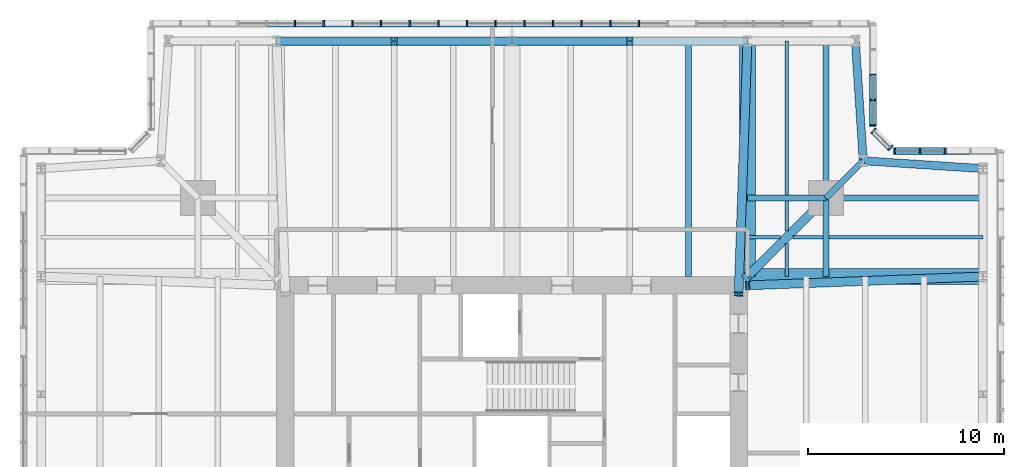
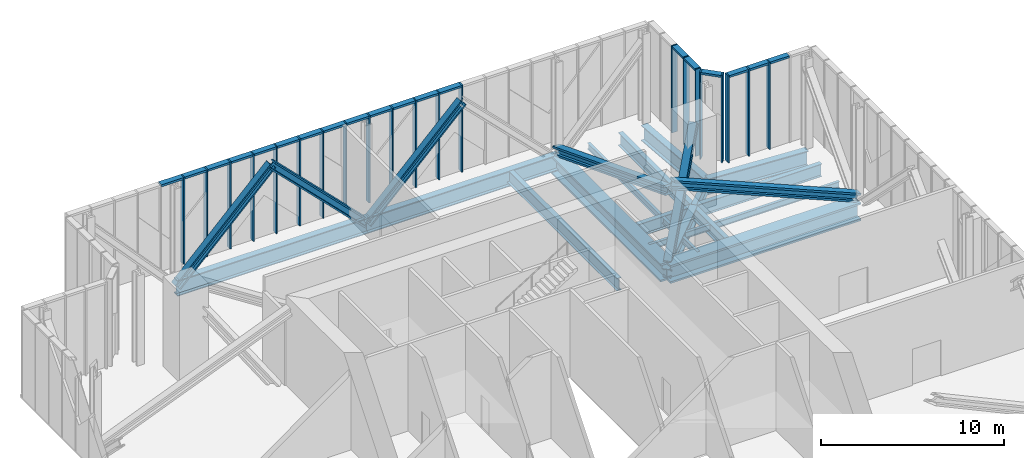
# One storey, part 7 of 18: 46 members, 19 beams, 4 elements without a shape of their own.
"""IFC4 building model written with IfcOpenShell, lengths in metres."""

from ifc_helpers import new_model, si_unit, direction, frame, origin, origin_2d, place, context, subcontext, project, spatial, rectangle, i_section, extrude, material, material_profile, profile_set, type_object, element, aggregate, save


model = new_model("IFC4")

# Units and contexts
model_context = context("Model", 3, precision=1e-05, world=origin(), true_north=direction((0.0, 1.0)))
body_context = subcontext(model_context, "Body", "Model", "MODEL_VIEW")
ifc_project = project(units=[si_unit("LENGTHUNIT", "METRE"), si_unit("AREAUNIT", "SQUARE_METRE"), si_unit("VOLUMEUNIT", "CUBIC_METRE"), si_unit("PLANEANGLEUNIT", "RADIAN"), si_unit("MASSUNIT", "GRAM", prefix="KILO")], contexts=[model_context])

# Site, building, storey
site_placement = place(None, origin())
site = spatial("IfcSite", under=ifc_project, at=site_placement, CompositionType="ELEMENT")
building_placement = place(site_placement, origin())
building = spatial("IfcBuilding", under=site, at=building_placement, Name="Fenwick Lantern Interchange", CompositionType="ELEMENT")
storey_placement = place(building_placement, frame((0.0, 0.0, 301.800048828125)))
storey = spatial("IfcBuildingStorey", under=building, at=storey_placement, Name="L73", CompositionType="ELEMENT", Elevation=301.800048828125)

# Members
ifc_material_1 = material(Name="Steel ASTM A992 Grade 50", Category="steel")
ifc_material_profile_1 = material_profile(ifc_material_1, i_section(OverallWidth=0.431884765625, OverallDepth=0.497802734375, WebThickness=0.0556640625, FlangeThickness=0.0888671875, at=origin_2d()), Name="W14X500")
ifc_profile_set_1 = profile_set([ifc_material_profile_1], Name="Steel ASTM A992 Grade 50")
member_type_1 = type_object("IfcMemberType", Name="BELT TRUSS DIAGONAL W14X500", PredefinedType="BRACE", material=ifc_profile_set_1)
for number, where, z_axis, x_axis, name in (
    (1, (25.0, 49.0, -0.650146484375), (0.707106781187, 0.0, 0.707106781187), (0.0, 1.0, 0.0), "L73/BT/N/D3"),
    (2, (25.0, 49.0, -0.650146484375), (-0.707106781187, 0.0, 0.707106781187), (0.0, -1.0, 0.0), "L73/BT/N/D4"),
    (3, (13.0, 49.0, -0.650146484375), (0.707106781187, 0.0, 0.707106781187), (0.0, 1.0, 0.0), "L73/BT/N/D5"),
):
    element("IfcMember", number, at=place(storey_placement, frame(where, z_axis=z_axis, x_axis=x_axis)), inside=storey, type_object=member_type_1, Name=name, PredefinedType="BRACE", context=body_context, shape_type="SweptSolid", body=[
        extrude(i_section(OverallWidth=0.431884765625, OverallDepth=0.497802734375, WebThickness=0.0556640625, FlangeThickness=0.0888671875, at=origin_2d()), origin(), (0.0, 0.0, 1.0), 8.4853515625),
    ])

# Beams
ifc_material_profile_2 = material_profile(ifc_material_1, i_section(OverallWidth=0.408935546875, OverallDepth=1.04150390625, WebThickness=0.031005859375, FlangeThickness=0.055908203125, at=origin_2d()), Name="W40X397")
ifc_profile_set_2 = profile_set([ifc_material_profile_2], Name="Steel ASTM A992 Grade 50")
beam_type_1 = type_object("IfcBeamType", Name="EDGE BEAM W40X397", PredefinedType="SPANDREL", material=ifc_profile_set_2)
for number, where, z_axis, x_axis, name in (
    (4, (49.0, 42.5, -0.720703125), (-0.997858060337, 0.065416293237, 0.0), (-0.065416293237, -0.997858060337, 0.0), "L73/FR/E/EBR1"),
    (5, (42.89990234375, 42.89990234375, -0.720703125), (-0.065416293237, 0.997858060337, 0.0), (-0.997858060337, -0.065416293237, 0.0), "L73/FR/E/EBR2"),
):
    element("IfcBeam", number, at=place(storey_placement, frame(where, z_axis=z_axis, x_axis=x_axis)), inside=storey, type_object=beam_type_1, Name=name, PredefinedType="SPANDREL", context=body_context, shape_type="SweptSolid", body=[
        extrude(i_section(OverallWidth=0.408935546875, OverallDepth=1.04150390625, WebThickness=0.031005859375, FlangeThickness=0.055908203125, at=origin_2d()), origin(), (0.0, 0.0, 1.0), 6.11328125),
    ])
for number, where, z_axis, x_axis, name in (
    (6, (37.0, 49.0, -0.720703125), (-1.0, 0.0, 0.0), (0.0, -1.0, 0.0), "L73/FR/N/EB2"),
    (7, (25.0, 49.0, -0.720703125), (-1.0, 0.0, 0.0), (0.0, -1.0, 0.0), "L73/FR/N/EB3"),
):
    element("IfcBeam", number, at=place(storey_placement, frame(where, z_axis=z_axis, x_axis=x_axis)), inside=storey, type_object=beam_type_1, Name=name, PredefinedType="SPANDREL", context=body_context, shape_type="SweptSolid", body=[
        extrude(i_section(OverallWidth=0.408935546875, OverallDepth=1.04150390625, WebThickness=0.031005859375, FlangeThickness=0.055908203125, at=origin_2d()), origin(), (0.0, 0.0, 1.0), 12.0),
    ])
ifc_material_profile_3 = material_profile(ifc_material_1, i_section(OverallWidth=0.2919921875, OverallDepth=0.845703125, WebThickness=0.015380859375, FlangeThickness=0.0244140625, at=origin_2d()), Name="W33X141")
ifc_profile_set_3 = profile_set([ifc_material_profile_3], Name="Steel ASTM A992 Grade 50")
beam_type_2 = type_object("IfcBeamType", Name="FLOOR BEAM W33X141", PredefinedType="BEAM", material=ifc_profile_set_3)
beam_1_placement = place(storey_placement, frame((34.0, 49.0, -0.623046875), z_axis=(0.0, -1.0, 0.0), x_axis=(1.0, 0.0, 0.0)))
element("IfcBeam", 8, at=beam_1_placement, inside=storey, type_object=beam_type_2, Name="L73/FR/N/R02", PredefinedType="BEAM", context=body_context, shape_type="SweptSolid", body=[
    extrude(i_section(OverallWidth=0.2919921875, OverallDepth=0.845703125, WebThickness=0.015380859375, FlangeThickness=0.0244140625, at=origin_2d()), origin(), (0.0, 0.0, 1.0), 12.0),
])
ifc_material_profile_4 = material_profile(ifc_material_1, i_section(OverallWidth=0.177734375, OverallDepth=0.406494140625, WebThickness=0.0078125, FlangeThickness=0.012939453125, at=origin_2d()), Name="W16X40")
ifc_profile_set_4 = profile_set([ifc_material_profile_4], Name="Steel ASTM A992 Grade 50")
beam_type_3 = type_object("IfcBeamType", Name="INFILL BEAM W16X40", PredefinedType="JOIST", material=ifc_profile_set_4)
beam_2_placement = place(storey_placement, frame((39.0, 49.0, -0.4033203125), z_axis=(0.0, -1.0, 0.0), x_axis=(1.0, 0.0, 0.0)))
element("IfcBeam", 9, at=beam_2_placement, inside=storey, type_object=beam_type_3, Name="L73/FR/N/J1", PredefinedType="JOIST", context=body_context, shape_type="SweptSolid", body=[
    extrude(i_section(OverallWidth=0.177734375, OverallDepth=0.406494140625, WebThickness=0.0078125, FlangeThickness=0.012939453125, at=origin_2d()), origin(), (0.0, 0.0, 1.0), 7.85400390625),
])
beam_3_placement = place(storey_placement, frame((39.0, 40.85400390625, -0.4033203125), z_axis=(0.0, -1.0, 0.0), x_axis=(1.0, 0.0, 0.0)))
element("IfcBeam", 10, at=beam_3_placement, inside=storey, type_object=beam_type_3, Name="L73/FR/N/J2", PredefinedType="JOIST", context=body_context, shape_type="SweptSolid", body=[
    extrude(i_section(OverallWidth=0.177734375, OverallDepth=0.406494140625, WebThickness=0.0078125, FlangeThickness=0.012939453125, at=origin_2d()), origin(), (0.0, 0.0, 1.0), 1.537841796875),
])
beam_4_placement = place(storey_placement, frame((39.0, 38.683837890625, -0.4033203125), z_axis=(0.0, -1.0, 0.0), x_axis=(1.0, 0.0, 0.0)))
element("IfcBeam", 11, at=beam_4_placement, inside=storey, type_object=beam_type_3, Name="L73/FR/N/J6", PredefinedType="JOIST", context=body_context, shape_type="SweptSolid", body=[
    extrude(i_section(OverallWidth=0.177734375, OverallDepth=0.406494140625, WebThickness=0.0078125, FlangeThickness=0.012939453125, at=origin_2d()), origin(), (0.0, 0.0, 1.0), 1.683837890625),
])
beam_5_placement = place(storey_placement, frame((49.0, 39.0, -0.4033203125), z_axis=(-1.0, 0.0, 0.0), x_axis=(0.0, -1.0, 0.0)))
element("IfcBeam", 12, at=beam_5_placement, inside=storey, type_object=beam_type_3, Name="L73/FR/N/J3", PredefinedType="JOIST", context=body_context, shape_type="SweptSolid", body=[
    extrude(i_section(OverallWidth=0.177734375, OverallDepth=0.406494140625, WebThickness=0.0078125, FlangeThickness=0.012939453125, at=origin_2d()), origin(), (0.0, 0.0, 1.0), 7.85400390625),
])
beam_6_placement = place(storey_placement, frame((40.85400390625, 39.0, -0.4033203125), z_axis=(-1.0, 0.0, 0.0), x_axis=(0.0, -1.0, 0.0)))
element("IfcBeam", 13, at=beam_6_placement, inside=storey, type_object=beam_type_3, Name="L73/FR/N/J4", PredefinedType="JOIST", context=body_context, shape_type="SweptSolid", body=[
    extrude(i_section(OverallWidth=0.177734375, OverallDepth=0.406494140625, WebThickness=0.0078125, FlangeThickness=0.012939453125, at=origin_2d()), origin(), (0.0, 0.0, 1.0), 1.537841796875),
])
beam_7_placement = place(storey_placement, frame((38.683837890625, 39.0, -0.4033203125), z_axis=(-1.0, 0.0, 0.0), x_axis=(0.0, -1.0, 0.0)))
element("IfcBeam", 14, at=beam_7_placement, inside=storey, type_object=beam_type_3, Name="L73/FR/N/J5", PredefinedType="JOIST", context=body_context, shape_type="SweptSolid", body=[
    extrude(i_section(OverallWidth=0.177734375, OverallDepth=0.406494140625, WebThickness=0.0078125, FlangeThickness=0.012939453125, at=origin_2d()), origin(), (0.0, 0.0, 1.0), 1.683837890625),
])

# Curtain wall, members
ifc_material_2 = material(Name="Aluminium curtain wall frame", Category="aluminium")
curtain_wall_type = type_object("IfcCurtainWallType", Name="LANTERN GLAZING", PredefinedType="USERDEFINED", material=ifc_material_2)
curtain_wall_1_placement = place(storey_placement, origin())
curtain_wall_1 = element("IfcCurtainWall", 15, at=curtain_wall_1_placement, inside=storey, type_object=curtain_wall_type, Name="Lantern glazing 06", ObjectType="LANTERN GLAZING", PredefinedType="USERDEFINED")
ifc_material_3 = material(Name="Aluminium extrusion", Category="aluminium")
ifc_material_profile_5 = material_profile(ifc_material_3, rectangle(XDim=0.35009765625, YDim=0.080078125, at=origin_2d()), Name="LANTERN GLAZING MULLION 80 X 350")
ifc_profile_set_5 = profile_set([ifc_material_profile_5], Name="Aluminium extrusion")
member_type_2 = type_object("IfcMemberType", Name="LANTERN GLAZING MULLION 80 X 350", PredefinedType="MULLION", material=ifc_profile_set_5)
member_1_placement = place(storey_placement, frame((47.079345703125, 43.39990234375, 0.0), z_axis=(0.0, 0.0, 1.0), x_axis=(0.0, -1.0, 0.0)))
member_1 = element("IfcMember", 16, at=member_1_placement, type_object=member_type_2, Name="L73/CW/06/M02", PredefinedType="MULLION", context=body_context, shape_type="SweptSolid", body=[
    extrude(rectangle(XDim=0.35009765625, YDim=0.080078125, at=origin_2d()), origin(), (0.0, 0.0, 1.0), 5.800048828125),
])
member_2_placement = place(storey_placement, frame((45.788818359375, 43.39990234375, 0.0), z_axis=(0.0, 0.0, 1.0), x_axis=(0.0, -1.0, 0.0)))
member_2 = element("IfcMember", 17, at=member_2_placement, type_object=member_type_2, Name="L73/CW/06/M03", PredefinedType="MULLION", context=body_context, shape_type="SweptSolid", body=[
    extrude(rectangle(XDim=0.35009765625, YDim=0.080078125, at=origin_2d()), origin(), (0.0, 0.0, 1.0), 5.800048828125),
])
member_3_placement = place(storey_placement, frame((44.49853515625, 43.39990234375, 0.0), z_axis=(0.0, 0.0, 1.0), x_axis=(0.0, -1.0, 0.0)))
member_3 = element("IfcMember", 18, at=member_3_placement, type_object=member_type_2, Name="L73/CW/06/M04", PredefinedType="MULLION", context=body_context, shape_type="SweptSolid", body=[
    extrude(rectangle(XDim=0.35009765625, YDim=0.080078125, at=origin_2d()), origin(), (0.0, 0.0, 1.0), 5.800048828125),
])

curtain_wall_2_placement = place(storey_placement, origin())
curtain_wall_2 = element("IfcCurtainWall", 19, at=curtain_wall_2_placement, inside=storey, type_object=curtain_wall_type, Name="Lantern glazing 07", ObjectType="LANTERN GLAZING", PredefinedType="USERDEFINED")
member_4_placement = place(storey_placement, frame((44.288818359375, 43.56982421875, 0.0), z_axis=(0.0, 0.0, 1.0), x_axis=(-0.707106781187, -0.707106781187, 0.0)))
member_4 = element("IfcMember", 20, at=member_4_placement, type_object=member_type_2, Name="L73/CW/07/M00", PredefinedType="MULLION", context=body_context, shape_type="SweptSolid", body=[
    extrude(rectangle(XDim=0.35009765625, YDim=0.080078125, at=origin_2d()), origin(), (0.0, 0.0, 1.0), 5.800048828125),
])
member_5_placement = place(storey_placement, frame((43.42822265625, 44.43017578125, 0.0), z_axis=(0.0, 0.0, 1.0), x_axis=(-0.707106781187, -0.707106781187, 0.0)))
member_5 = element("IfcMember", 21, at=member_5_placement, type_object=member_type_2, Name="L73/CW/07/M01", PredefinedType="MULLION", context=body_context, shape_type="SweptSolid", body=[
    extrude(rectangle(XDim=0.35009765625, YDim=0.080078125, at=origin_2d()), origin(), (0.0, 0.0, 1.0), 5.800048828125),
])

curtain_wall_3_placement = place(storey_placement, origin())
curtain_wall_3 = element("IfcCurtainWall", 22, at=curtain_wall_3_placement, inside=storey, type_object=curtain_wall_type, Name="Lantern glazing 08", ObjectType="LANTERN GLAZING", PredefinedType="USERDEFINED")
member_6_placement = place(storey_placement, frame((43.39990234375, 44.698486328125, 0.0), z_axis=(0.0, 0.0, 1.0), x_axis=(-1.0, 0.0, 0.0)))
member_6 = element("IfcMember", 23, at=member_6_placement, type_object=member_type_2, Name="L73/CW/08/M00", PredefinedType="MULLION", context=body_context, shape_type="SweptSolid", body=[
    extrude(rectangle(XDim=0.35009765625, YDim=0.080078125, at=origin_2d()), origin(), (0.0, 0.0, 1.0), 5.800048828125),
])
member_7_placement = place(storey_placement, frame((43.39990234375, 45.989013671875, 0.0), z_axis=(0.0, 0.0, 1.0), x_axis=(-1.0, 0.0, 0.0)))
member_7 = element("IfcMember", 24, at=member_7_placement, type_object=member_type_2, Name="L73/CW/08/M01", PredefinedType="MULLION", context=body_context, shape_type="SweptSolid", body=[
    extrude(rectangle(XDim=0.35009765625, YDim=0.080078125, at=origin_2d()), origin(), (0.0, 0.0, 1.0), 5.800048828125),
])
member_8_placement = place(storey_placement, frame((43.39990234375, 47.279296875, 0.0), z_axis=(0.0, 0.0, 1.0), x_axis=(-1.0, 0.0, 0.0)))
member_8 = element("IfcMember", 25, at=member_8_placement, type_object=member_type_2, Name="L73/CW/08/M02", PredefinedType="MULLION", context=body_context, shape_type="SweptSolid", body=[
    extrude(rectangle(XDim=0.35009765625, YDim=0.080078125, at=origin_2d()), origin(), (0.0, 0.0, 1.0), 5.800048828125),
])

curtain_wall_4_placement = place(storey_placement, origin())
curtain_wall_4 = element("IfcCurtainWall", 26, at=curtain_wall_4_placement, inside=storey, type_object=curtain_wall_type, Name="Lantern glazing 09", ObjectType="LANTERN GLAZING", PredefinedType="USERDEFINED")
member_9_placement = place(storey_placement, frame((31.4736328125, 49.89990234375, 0.0), z_axis=(0.0, 0.0, 1.0), x_axis=(0.0, -1.0, 0.0)))
member_9 = element("IfcMember", 27, at=member_9_placement, type_object=member_type_2, Name="L73/CW/09/M08", PredefinedType="MULLION", context=body_context, shape_type="SweptSolid", body=[
    extrude(rectangle(XDim=0.35009765625, YDim=0.080078125, at=origin_2d()), origin(), (0.0, 0.0, 1.0), 5.800048828125),
])
member_10_placement = place(storey_placement, frame((30.0126953125, 49.89990234375, 0.0), z_axis=(0.0, 0.0, 1.0), x_axis=(0.0, -1.0, 0.0)))
member_10 = element("IfcMember", 28, at=member_10_placement, type_object=member_type_2, Name="L73/CW/09/M09", PredefinedType="MULLION", context=body_context, shape_type="SweptSolid", body=[
    extrude(rectangle(XDim=0.35009765625, YDim=0.080078125, at=origin_2d()), origin(), (0.0, 0.0, 1.0), 5.800048828125),
])
member_11_placement = place(storey_placement, frame((28.552001953125, 49.89990234375, 0.0), z_axis=(0.0, 0.0, 1.0), x_axis=(0.0, -1.0, 0.0)))
member_11 = element("IfcMember", 29, at=member_11_placement, type_object=member_type_2, Name="L73/CW/09/M10", PredefinedType="MULLION", context=body_context, shape_type="SweptSolid", body=[
    extrude(rectangle(XDim=0.35009765625, YDim=0.080078125, at=origin_2d()), origin(), (0.0, 0.0, 1.0), 5.800048828125),
])
member_12_placement = place(storey_placement, frame((27.09130859375, 49.89990234375, 0.0), z_axis=(0.0, 0.0, 1.0), x_axis=(0.0, -1.0, 0.0)))
member_12 = element("IfcMember", 30, at=member_12_placement, type_object=member_type_2, Name="L73/CW/09/M11", PredefinedType="MULLION", context=body_context, shape_type="SweptSolid", body=[
    extrude(rectangle(XDim=0.35009765625, YDim=0.080078125, at=origin_2d()), origin(), (0.0, 0.0, 1.0), 5.800048828125),
])
member_13_placement = place(storey_placement, frame((25.63037109375, 49.89990234375, 0.0), z_axis=(0.0, 0.0, 1.0), x_axis=(0.0, -1.0, 0.0)))
member_13 = element("IfcMember", 31, at=member_13_placement, type_object=member_type_2, Name="L73/CW/09/M12", PredefinedType="MULLION", context=body_context, shape_type="SweptSolid", body=[
    extrude(rectangle(XDim=0.35009765625, YDim=0.080078125, at=origin_2d()), origin(), (0.0, 0.0, 1.0), 5.800048828125),
])
member_14_placement = place(storey_placement, frame((24.169677734375, 49.89990234375, 0.0), z_axis=(0.0, 0.0, 1.0), x_axis=(0.0, -1.0, 0.0)))
member_14 = element("IfcMember", 32, at=member_14_placement, type_object=member_type_2, Name="L73/CW/09/M13", PredefinedType="MULLION", context=body_context, shape_type="SweptSolid", body=[
    extrude(rectangle(XDim=0.35009765625, YDim=0.080078125, at=origin_2d()), origin(), (0.0, 0.0, 1.0), 5.800048828125),
])
member_15_placement = place(storey_placement, frame((22.708740234375, 49.89990234375, 0.0), z_axis=(0.0, 0.0, 1.0), x_axis=(0.0, -1.0, 0.0)))
member_15 = element("IfcMember", 33, at=member_15_placement, type_object=member_type_2, Name="L73/CW/09/M14", PredefinedType="MULLION", context=body_context, shape_type="SweptSolid", body=[
    extrude(rectangle(XDim=0.35009765625, YDim=0.080078125, at=origin_2d()), origin(), (0.0, 0.0, 1.0), 5.800048828125),
])
member_16_placement = place(storey_placement, frame((21.248046875, 49.89990234375, 0.0), z_axis=(0.0, 0.0, 1.0), x_axis=(0.0, -1.0, 0.0)))
member_16 = element("IfcMember", 34, at=member_16_placement, type_object=member_type_2, Name="L73/CW/09/M15", PredefinedType="MULLION", context=body_context, shape_type="SweptSolid", body=[
    extrude(rectangle(XDim=0.35009765625, YDim=0.080078125, at=origin_2d()), origin(), (0.0, 0.0, 1.0), 5.800048828125),
])
member_17_placement = place(storey_placement, frame((19.787109375, 49.89990234375, 0.0), z_axis=(0.0, 0.0, 1.0), x_axis=(0.0, -1.0, 0.0)))
member_17 = element("IfcMember", 35, at=member_17_placement, type_object=member_type_2, Name="L73/CW/09/M16", PredefinedType="MULLION", context=body_context, shape_type="SweptSolid", body=[
    extrude(rectangle(XDim=0.35009765625, YDim=0.080078125, at=origin_2d()), origin(), (0.0, 0.0, 1.0), 5.800048828125),
])
member_18_placement = place(storey_placement, frame((18.326416015625, 49.89990234375, 0.0), z_axis=(0.0, 0.0, 1.0), x_axis=(0.0, -1.0, 0.0)))
member_18 = element("IfcMember", 36, at=member_18_placement, type_object=member_type_2, Name="L73/CW/09/M17", PredefinedType="MULLION", context=body_context, shape_type="SweptSolid", body=[
    extrude(rectangle(XDim=0.35009765625, YDim=0.080078125, at=origin_2d()), origin(), (0.0, 0.0, 1.0), 5.800048828125),
])
member_19_placement = place(storey_placement, frame((16.865478515625, 49.89990234375, 0.0), z_axis=(0.0, 0.0, 1.0), x_axis=(0.0, -1.0, 0.0)))
member_19 = element("IfcMember", 37, at=member_19_placement, type_object=member_type_2, Name="L73/CW/09/M18", PredefinedType="MULLION", context=body_context, shape_type="SweptSolid", body=[
    extrude(rectangle(XDim=0.35009765625, YDim=0.080078125, at=origin_2d()), origin(), (0.0, 0.0, 1.0), 5.800048828125),
])
member_20_placement = place(storey_placement, frame((15.40478515625, 49.89990234375, 0.0), z_axis=(0.0, 0.0, 1.0), x_axis=(0.0, -1.0, 0.0)))
member_20 = element("IfcMember", 38, at=member_20_placement, type_object=member_type_2, Name="L73/CW/09/M19", PredefinedType="MULLION", context=body_context, shape_type="SweptSolid", body=[
    extrude(rectangle(XDim=0.35009765625, YDim=0.080078125, at=origin_2d()), origin(), (0.0, 0.0, 1.0), 5.800048828125),
])
member_21_placement = place(storey_placement, frame((13.944091796875, 49.89990234375, 0.0), z_axis=(0.0, 0.0, 1.0), x_axis=(0.0, -1.0, 0.0)))
member_21 = element("IfcMember", 39, at=member_21_placement, type_object=member_type_2, Name="L73/CW/09/M20", PredefinedType="MULLION", context=body_context, shape_type="SweptSolid", body=[
    extrude(rectangle(XDim=0.35009765625, YDim=0.080078125, at=origin_2d()), origin(), (0.0, 0.0, 1.0), 5.800048828125),
])

# Member
ifc_material_profile_6 = material_profile(ifc_material_3, rectangle(XDim=0.35009765625, YDim=0.139892578125, at=origin_2d()), Name="LANTERN GLAZING TRANSOM 140 X 350")
ifc_profile_set_6 = profile_set([ifc_material_profile_6], Name="Aluminium extrusion")
member_type_3 = type_object("IfcMemberType", Name="LANTERN GLAZING TRANSOM 140 X 350", PredefinedType="MULLION", material=ifc_profile_set_6)
member_22_placement = place(storey_placement, frame((48.32958984375, 43.39990234375, 5.72998046875), z_axis=(-1.0, 0.0, 0.0), x_axis=(0.0, -1.0, 0.0)))
member_22 = element("IfcMember", 40, at=member_22_placement, type_object=member_type_3, Name="L73/CW/06/T01", PredefinedType="MULLION", context=body_context, shape_type="SweptSolid", body=[
    extrude(rectangle(XDim=0.35009765625, YDim=0.139892578125, at=origin_2d()), origin(), (0.0, 0.0, 1.0), 1.210205078125),
])

member_23_placement = place(storey_placement, frame((47.039306640625, 43.39990234375, 5.72998046875), z_axis=(-1.0, 0.0, 0.0), x_axis=(0.0, -1.0, 0.0)))
member_23 = element("IfcMember", 41, at=member_23_placement, type_object=member_type_3, Name="L73/CW/06/T02", PredefinedType="MULLION", context=body_context, shape_type="SweptSolid", body=[
    extrude(rectangle(XDim=0.35009765625, YDim=0.139892578125, at=origin_2d()), origin(), (0.0, 0.0, 1.0), 1.21044921875),
])

member_24_placement = place(storey_placement, frame((45.7490234375, 43.39990234375, 5.72998046875), z_axis=(-1.0, 0.0, 0.0), x_axis=(0.0, -1.0, 0.0)))
member_24 = element("IfcMember", 42, at=member_24_placement, type_object=member_type_3, Name="L73/CW/06/T03", PredefinedType="MULLION", context=body_context, shape_type="SweptSolid", body=[
    extrude(rectangle(XDim=0.35009765625, YDim=0.139892578125, at=origin_2d()), origin(), (0.0, 0.0, 1.0), 1.21044921875),
])

aggregate(curtain_wall_1, [member_1, member_2, member_3, member_22, member_23, member_24])

member_25_placement = place(storey_placement, frame((44.260498046875, 43.597900390625, 5.72998046875), z_axis=(-0.706999424203, 0.707214121873, 0.0), x_axis=(-0.707214121873, -0.706999424203, 0.0)))
member_25 = element("IfcMember", 43, at=member_25_placement, type_object=member_type_3, Name="L73/CW/07/T00", PredefinedType="MULLION", context=body_context, shape_type="SweptSolid", body=[
    extrude(rectangle(XDim=0.35009765625, YDim=0.139892578125, at=origin_2d()), origin(), (0.0, 0.0, 1.0), 1.13720703125),
])

aggregate(curtain_wall_2, [member_4, member_5, member_25])

member_26_placement = place(storey_placement, frame((43.39990234375, 44.738525390625, 5.72998046875), z_axis=(0.0, 1.0, 0.0), x_axis=(-1.0, 0.0, 0.0)))
member_26 = element("IfcMember", 44, at=member_26_placement, type_object=member_type_3, Name="L73/CW/08/T00", PredefinedType="MULLION", context=body_context, shape_type="SweptSolid", body=[
    extrude(rectangle(XDim=0.35009765625, YDim=0.139892578125, at=origin_2d()), origin(), (0.0, 0.0, 1.0), 1.21044921875),
])

member_27_placement = place(storey_placement, frame((43.39990234375, 46.029052734375, 5.72998046875), z_axis=(0.0, 1.0, 0.0), x_axis=(-1.0, 0.0, 0.0)))
member_27 = element("IfcMember", 45, at=member_27_placement, type_object=member_type_3, Name="L73/CW/08/T01", PredefinedType="MULLION", context=body_context, shape_type="SweptSolid", body=[
    extrude(rectangle(XDim=0.35009765625, YDim=0.139892578125, at=origin_2d()), origin(), (0.0, 0.0, 1.0), 1.210205078125),
])

aggregate(curtain_wall_3, [member_6, member_7, member_8, member_26, member_27])

member_28_placement = place(storey_placement, frame((31.43359375, 49.89990234375, 5.72998046875), z_axis=(-1.0, 0.0, 0.0), x_axis=(0.0, -1.0, 0.0)))
member_28 = element("IfcMember", 46, at=member_28_placement, type_object=member_type_3, Name="L73/CW/09/T08", PredefinedType="MULLION", context=body_context, shape_type="SweptSolid", body=[
    extrude(rectangle(XDim=0.35009765625, YDim=0.139892578125, at=origin_2d()), origin(), (0.0, 0.0, 1.0), 1.380859375),
])

member_29_placement = place(storey_placement, frame((29.972900390625, 49.89990234375, 5.72998046875), z_axis=(-1.0, 0.0, 0.0), x_axis=(0.0, -1.0, 0.0)))
member_29 = element("IfcMember", 47, at=member_29_placement, type_object=member_type_3, Name="L73/CW/09/T09", PredefinedType="MULLION", context=body_context, shape_type="SweptSolid", body=[
    extrude(rectangle(XDim=0.35009765625, YDim=0.139892578125, at=origin_2d()), origin(), (0.0, 0.0, 1.0), 1.380859375),
])

member_30_placement = place(storey_placement, frame((28.511962890625, 49.89990234375, 5.72998046875), z_axis=(-1.0, 0.0, 0.0), x_axis=(0.0, -1.0, 0.0)))
member_30 = element("IfcMember", 48, at=member_30_placement, type_object=member_type_3, Name="L73/CW/09/T10", PredefinedType="MULLION", context=body_context, shape_type="SweptSolid", body=[
    extrude(rectangle(XDim=0.35009765625, YDim=0.139892578125, at=origin_2d()), origin(), (0.0, 0.0, 1.0), 1.380859375),
])

member_31_placement = place(storey_placement, frame((27.05126953125, 49.89990234375, 5.72998046875), z_axis=(-1.0, 0.0, 0.0), x_axis=(0.0, -1.0, 0.0)))
member_31 = element("IfcMember", 49, at=member_31_placement, type_object=member_type_3, Name="L73/CW/09/T11", PredefinedType="MULLION", context=body_context, shape_type="SweptSolid", body=[
    extrude(rectangle(XDim=0.35009765625, YDim=0.139892578125, at=origin_2d()), origin(), (0.0, 0.0, 1.0), 1.380859375),
])

member_32_placement = place(storey_placement, frame((25.59033203125, 49.89990234375, 5.72998046875), z_axis=(-1.0, 0.0, 0.0), x_axis=(0.0, -1.0, 0.0)))
member_32 = element("IfcMember", 50, at=member_32_placement, type_object=member_type_3, Name="L73/CW/09/T12", PredefinedType="MULLION", context=body_context, shape_type="SweptSolid", body=[
    extrude(rectangle(XDim=0.35009765625, YDim=0.139892578125, at=origin_2d()), origin(), (0.0, 0.0, 1.0), 1.380615234375),
])

member_33_placement = place(storey_placement, frame((24.129638671875, 49.89990234375, 5.72998046875), z_axis=(-1.0, 0.0, 0.0), x_axis=(0.0, -1.0, 0.0)))
member_33 = element("IfcMember", 51, at=member_33_placement, type_object=member_type_3, Name="L73/CW/09/T13", PredefinedType="MULLION", context=body_context, shape_type="SweptSolid", body=[
    extrude(rectangle(XDim=0.35009765625, YDim=0.139892578125, at=origin_2d()), origin(), (0.0, 0.0, 1.0), 1.380859375),
])

member_34_placement = place(storey_placement, frame((22.668701171875, 49.89990234375, 5.72998046875), z_axis=(-1.0, 0.0, 0.0), x_axis=(0.0, -1.0, 0.0)))
member_34 = element("IfcMember", 52, at=member_34_placement, type_object=member_type_3, Name="L73/CW/09/T14", PredefinedType="MULLION", context=body_context, shape_type="SweptSolid", body=[
    extrude(rectangle(XDim=0.35009765625, YDim=0.139892578125, at=origin_2d()), origin(), (0.0, 0.0, 1.0), 1.380615234375),
])

member_35_placement = place(storey_placement, frame((21.2080078125, 49.89990234375, 5.72998046875), z_axis=(-1.0, 0.0, 0.0), x_axis=(0.0, -1.0, 0.0)))
member_35 = element("IfcMember", 53, at=member_35_placement, type_object=member_type_3, Name="L73/CW/09/T15", PredefinedType="MULLION", context=body_context, shape_type="SweptSolid", body=[
    extrude(rectangle(XDim=0.35009765625, YDim=0.139892578125, at=origin_2d()), origin(), (0.0, 0.0, 1.0), 1.380859375),
])

member_36_placement = place(storey_placement, frame((19.747314453125, 49.89990234375, 5.72998046875), z_axis=(-1.0, 0.0, 0.0), x_axis=(0.0, -1.0, 0.0)))
member_36 = element("IfcMember", 54, at=member_36_placement, type_object=member_type_3, Name="L73/CW/09/T16", PredefinedType="MULLION", context=body_context, shape_type="SweptSolid", body=[
    extrude(rectangle(XDim=0.35009765625, YDim=0.139892578125, at=origin_2d()), origin(), (0.0, 0.0, 1.0), 1.380859375),
])

member_37_placement = place(storey_placement, frame((18.286376953125, 49.89990234375, 5.72998046875), z_axis=(-1.0, 0.0, 0.0), x_axis=(0.0, -1.0, 0.0)))
member_37 = element("IfcMember", 55, at=member_37_placement, type_object=member_type_3, Name="L73/CW/09/T17", PredefinedType="MULLION", context=body_context, shape_type="SweptSolid", body=[
    extrude(rectangle(XDim=0.35009765625, YDim=0.139892578125, at=origin_2d()), origin(), (0.0, 0.0, 1.0), 1.380859375),
])

member_38_placement = place(storey_placement, frame((16.82568359375, 49.89990234375, 5.72998046875), z_axis=(-1.0, 0.0, 0.0), x_axis=(0.0, -1.0, 0.0)))
member_38 = element("IfcMember", 56, at=member_38_placement, type_object=member_type_3, Name="L73/CW/09/T18", PredefinedType="MULLION", context=body_context, shape_type="SweptSolid", body=[
    extrude(rectangle(XDim=0.35009765625, YDim=0.139892578125, at=origin_2d()), origin(), (0.0, 0.0, 1.0), 1.380859375),
])

member_39_placement = place(storey_placement, frame((15.36474609375, 49.89990234375, 5.72998046875), z_axis=(-1.0, 0.0, 0.0), x_axis=(0.0, -1.0, 0.0)))
member_39 = element("IfcMember", 57, at=member_39_placement, type_object=member_type_3, Name="L73/CW/09/T19", PredefinedType="MULLION", context=body_context, shape_type="SweptSolid", body=[
    extrude(rectangle(XDim=0.35009765625, YDim=0.139892578125, at=origin_2d()), origin(), (0.0, 0.0, 1.0), 1.380859375),
])

member_40_placement = place(storey_placement, frame((13.904052734375, 49.89990234375, 5.72998046875), z_axis=(-1.0, 0.0, 0.0), x_axis=(0.0, -1.0, 0.0)))
member_40 = element("IfcMember", 58, at=member_40_placement, type_object=member_type_3, Name="L73/CW/09/T20", PredefinedType="MULLION", context=body_context, shape_type="SweptSolid", body=[
    extrude(rectangle(XDim=0.35009765625, YDim=0.139892578125, at=origin_2d()), origin(), (0.0, 0.0, 1.0), 1.380859375),
])

aggregate(curtain_wall_4, [member_9, member_10, member_11, member_12, member_13, member_14, member_15, member_16, member_17, member_18, member_19, member_20, member_21, member_28, member_29, member_30, member_31, member_32, member_33, member_34, member_35, member_36, member_37, member_38, member_39, member_40])

# Beams
ifc_material_profile_7 = material_profile(ifc_material_1, i_section(OverallWidth=0.2919921875, OverallDepth=0.845703125, WebThickness=0.015380859375, FlangeThickness=0.0244140625, at=origin_2d()), Name="W33X141")
ifc_profile_set_7 = profile_set([ifc_material_profile_7], Name="Steel ASTM A992 Grade 50")
beam_type_4 = type_object("IfcBeamType", Name="MEGA COLUMN BEAM W33X141", PredefinedType="BEAM", material=ifc_profile_set_7)
for number, where, z_axis, x_axis, name in (
    (59, (41.0, 41.0, -0.623046875), (0.0, 1.0, 0.0), (-1.0, 0.0, 0.0), "L73/FR/N/MB1"),
    (60, (41.0, 41.0, -0.623046875), (1.0, 0.0, 0.0), (0.0, 1.0, 0.0), "L73/FR/N/MB2"),
):
    element("IfcBeam", number, at=place(storey_placement, frame(where, z_axis=z_axis, x_axis=x_axis)), inside=storey, type_object=beam_type_4, Name=name, PredefinedType="BEAM", context=body_context, shape_type="SweptSolid", body=[
        extrude(i_section(OverallWidth=0.2919921875, OverallDepth=0.845703125, WebThickness=0.015380859375, FlangeThickness=0.0244140625, at=origin_2d()), origin(), (0.0, 0.0, 1.0), 8.0),
    ])
for number, where, z_axis, x_axis, name in (
    (61, (41.0, 41.0, -0.623046875), (-1.0, 0.0, 0.0), (0.0, -1.0, 0.0), "L73/FR/N/MB3"),
    (62, (41.0, 41.0, -0.623046875), (0.0, -1.0, 0.0), (1.0, 0.0, 0.0), "L73/FR/N/MB4"),
):
    element("IfcBeam", number, at=place(storey_placement, frame(where, z_axis=z_axis, x_axis=x_axis)), inside=storey, type_object=beam_type_4, Name=name, PredefinedType="BEAM", context=body_context, shape_type="SweptSolid", body=[
        extrude(i_section(OverallWidth=0.2919921875, OverallDepth=0.845703125, WebThickness=0.015380859375, FlangeThickness=0.0244140625, at=origin_2d()), origin(), (0.0, 0.0, 1.0), 4.0),
    ])
ifc_material_4 = material(Name="Steel ASTM A572 Grade 42", Category="steel")
ifc_material_profile_8 = material_profile(ifc_material_4, i_section(OverallWidth=0.800048828125, OverallDepth=1.199951171875, WebThickness=0.06005859375, FlangeThickness=0.1201171875, at=origin_2d()), Name="BU1200X800")
ifc_profile_set_8 = profile_set([ifc_material_profile_8], Name="Steel ASTM A572 Grade 42")
beam_type_5 = type_object("IfcBeamType", Name="MOMENT-CONNECTED GIRDER BU1200X800", PredefinedType="BEAM", material=ifc_profile_set_8)
for number, where, z_axis, x_axis, name in (
    (63, (49.0, 37.0, -0.800048828125), (-1.0, 0.0, 0.0), (0.0, -1.0, 0.0), "L73/FR/E/R03"),
    (64, (37.0, 49.0, -0.800048828125), (0.0, -1.0, 0.0), (1.0, 0.0, 0.0), "L73/FR/N/R01"),
):
    element("IfcBeam", number, at=place(storey_placement, frame(where, z_axis=z_axis, x_axis=x_axis)), inside=storey, type_object=beam_type_5, Name=name, PredefinedType="BEAM", context=body_context, shape_type="SweptSolid", body=[
        extrude(i_section(OverallWidth=0.800048828125, OverallDepth=1.199951171875, WebThickness=0.06005859375, FlangeThickness=0.1201171875, at=origin_2d()), origin(), (0.0, 0.0, 1.0), 12.0),
    ])
ifc_material_profile_9 = material_profile(ifc_material_1, i_section(OverallWidth=0.3046875, OverallDepth=0.911865234375, WebThickness=0.015869140625, FlangeThickness=0.02392578125, at=origin_2d()), Name="W36X150")
ifc_profile_set_9 = profile_set([ifc_material_profile_9], Name="Steel ASTM A992 Grade 50")
beam_type_6 = type_object("IfcBeamType", Name="NOTCH BEAM W36X150", PredefinedType="BEAM", material=ifc_profile_set_9)
beam_8_placement = place(storey_placement, frame((41.0, 41.0, -0.656005859375), z_axis=(0.707106781187, 0.707106781187, 0.0), x_axis=(-0.707106781187, 0.707106781187, 0.0)))
element("IfcBeam", 65, at=beam_8_placement, inside=storey, type_object=beam_type_6, Name="L73/FR/N/TG", PredefinedType="BEAM", context=body_context, shape_type="SweptSolid", body=[
    extrude(i_section(OverallWidth=0.3046875, OverallDepth=0.911865234375, WebThickness=0.015869140625, FlangeThickness=0.02392578125, at=origin_2d()), origin(), (0.0, 0.0, 1.0), 2.686767578125),
])
ifc_material_profile_10 = material_profile(ifc_material_1, i_section(OverallWidth=0.447021484375, OverallDepth=1.0439453125, WebThickness=0.050048828125, FlangeThickness=0.08984375, at=origin_2d()), Name="W36X652")
ifc_profile_set_10 = profile_set([ifc_material_profile_10], Name="Steel ASTM A992 Grade 50")
beam_type_7 = type_object("IfcBeamType", Name="OUTRIGGER CHORD W36X652", PredefinedType="BEAM", material=ifc_profile_set_10)
beam_9_placement = place(storey_placement, frame((37.0, 37.0, -0.721923828125), z_axis=(0.707106781187, 0.707106781187, 0.0), x_axis=(-0.707106781187, 0.707106781187, 0.0)))
element("IfcBeam", 66, at=beam_9_placement, inside=storey, type_object=beam_type_7, Name="L73/OR/N/BC", PredefinedType="BEAM", context=body_context, shape_type="SweptSolid", body=[
    extrude(i_section(OverallWidth=0.447021484375, OverallDepth=1.0439453125, WebThickness=0.050048828125, FlangeThickness=0.08984375, at=origin_2d()), origin(), (0.0, 0.0, 1.0), 5.65673828125),
])

# Members
ifc_material_profile_11 = material_profile(ifc_material_1, i_section(OverallWidth=0.45458984375, OverallDepth=0.56884765625, WebThickness=0.077880859375, FlangeThickness=0.124755859375, at=origin_2d()), Name="W14X730")
ifc_profile_set_11 = profile_set([ifc_material_profile_11], Name="Steel ASTM A992 Grade 50")
member_type_4 = type_object("IfcMemberType", Name="OUTRIGGER DIAGONAL W14X730", PredefinedType="BRACE", material=ifc_profile_set_11)
member_41_placement = place(storey_placement, frame((49.0, 37.0, 0.0), z_axis=(-0.913477570557, -0.034251691946, 0.405444878729), x_axis=(0.037469600146, -0.999297767968, 0.0)))
element("IfcMember", 67, at=member_41_placement, inside=storey, type_object=member_type_4, Name="L73/OR/E/W2", PredefinedType="BRACE", context=body_context, shape_type="SweptSolid", body=[
    extrude(i_section(OverallWidth=0.45458984375, OverallDepth=0.56884765625, WebThickness=0.077880859375, FlangeThickness=0.124755859375, at=origin_2d()), origin(), (0.0, 0.0, 1.0), 13.13671875),
])
member_42_placement = place(storey_placement, frame((37.0, 37.0, -0.721923828125), z_axis=(0.485071250073, 0.485071250073, 0.727606875109), x_axis=(-0.707106781187, 0.707106781187, 0.0)))
element("IfcMember", 68, at=member_42_placement, inside=storey, type_object=member_type_4, Name="L73/OR/N/D", PredefinedType="BRACE", context=body_context, shape_type="SweptSolid", body=[
    extrude(i_section(OverallWidth=0.45458984375, OverallDepth=0.56884765625, WebThickness=0.077880859375, FlangeThickness=0.124755859375, at=origin_2d()), origin(), (0.0, 0.0, 1.0), 8.24609375),
])
member_43_placement = place(storey_placement, frame((37.0, 49.0, 0.0), z_axis=(-0.032223486879, -0.923833206581, 0.381436565252), x_axis=(0.999392240336, -0.034859001078, 0.0)))
element("IfcMember", 69, at=member_43_placement, inside=storey, type_object=member_type_4, Name="L73/OR/N/W1", PredefinedType="BRACE", context=body_context, shape_type="SweptSolid", body=[
    extrude(i_section(OverallWidth=0.45458984375, OverallDepth=0.56884765625, WebThickness=0.077880859375, FlangeThickness=0.124755859375, at=origin_2d()), origin(), (0.0, 0.0, 1.0), 13.96337890625),
])

save(model, "model.ifc")
